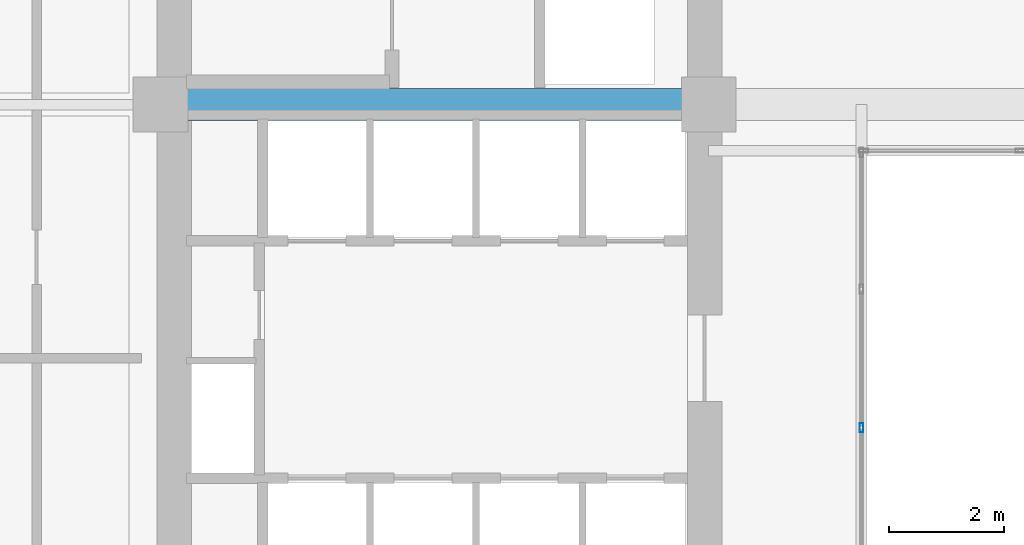
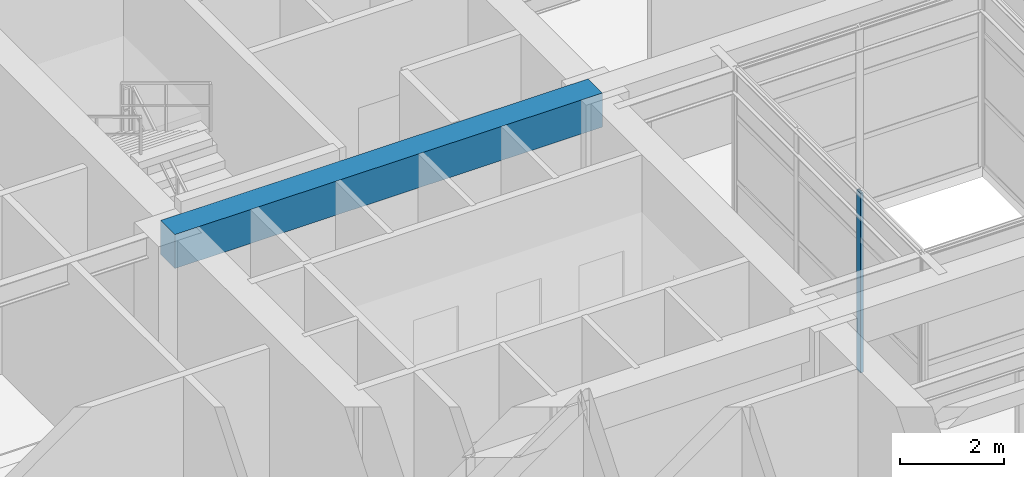
# One storey, part 3 of 13: 1 beam, 1 member, 1 element without a shape of its own.
"""IFC4 building model written with IfcOpenShell, lengths in metres."""

from ifc_helpers import new_model, si_unit, direction, frame, origin, origin_2d, place, context, subcontext, project, spatial, rectangle, hollow_rectangle, extrude, material, layer, layer_set, material_profile, profile_set, type_object, element, aggregate, save


model = new_model("IFC4")

# Units and contexts
model_context = context("Model", 3, precision=1e-05, world=origin(), true_north=direction((0.0, 1.0)))
body_context = subcontext(model_context, "Body", "Model", "MODEL_VIEW")
ifc_project = project(units=[si_unit("LENGTHUNIT", "METRE"), si_unit("AREAUNIT", "SQUARE_METRE"), si_unit("VOLUMEUNIT", "CUBIC_METRE"), si_unit("PLANEANGLEUNIT", "RADIAN"), si_unit("MASSUNIT", "GRAM", prefix="KILO")], contexts=[model_context])

# Site, building, storey
site_placement = place(None, origin())
site = spatial("IfcSite", under=ifc_project, at=site_placement, CompositionType="ELEMENT")
building_placement = place(site_placement, origin())
building = spatial("IfcBuilding", under=site, at=building_placement, Name="Kundavana Baori Tower", CompositionType="ELEMENT")
storey_placement = place(building_placement, frame((0.0, 0.0, 17.0)))
storey = spatial("IfcBuildingStorey", under=building, at=storey_placement, Name="L03", CompositionType="ELEMENT", Elevation=17.0)

# Beam
ifc_material_1 = material(Name="Concrete C50/60", Category="concrete")
ifc_material_profile_1 = material_profile(ifc_material_1, rectangle(XDim=0.550048828125, YDim=0.800048828125, at=origin_2d()), Name="RC BM 550x800")
ifc_profile_set_1 = profile_set([ifc_material_profile_1], Name="Concrete C50/60")
beam_type = type_object("IfcBeamType", Name="BM-RC-800", PredefinedType="BEAM", material=ifc_profile_set_1)
beam_placement = place(storey_placement, frame((15.449951171875, 33.0, 3.820068359375), z_axis=(1.0, 0.0, 0.0), x_axis=(0.0, 1.0, 0.0)))
element("IfcBeam", 1, at=beam_placement, inside=storey, type_object=beam_type, Name="L03 Primary Grid Girder GX-3-1", PredefinedType="BEAM", context=body_context, shape_type="SweptSolid", body=[
    extrude(rectangle(XDim=0.550048828125, YDim=0.800048828125, at=origin_2d()), origin(), (0.0, 0.0, 1.0), 9.5),
])

# Curtain wall, member
ifc_material_2 = material(Name="Thermally Broken Anodised Aluminium Framing", Category="aluminium")
ifc_layer = layer(ifc_material_2, 0.175048828125, Name="CW-SYS-2")
ifc_layer_set = layer_set([ifc_layer], Name="Thermally Broken Anodised Aluminium Framing")
curtain_wall_type = type_object("IfcCurtainWallType", Name="CW-SYS-2", PredefinedType="NOTDEFINED", material=ifc_layer_set)
curtain_wall_placement = place(storey_placement, origin())
curtain_wall = element("IfcCurtainWall", 2, at=curtain_wall_placement, inside=storey, type_object=curtain_wall_type, Name="L03 Atrium Glazed Curtain Wall W", PredefinedType="NOTDEFINED")
ifc_material_3 = material(Name="Thermally Broken Anodised Aluminium Framing", Category="aluminium")
ifc_material_profile_2 = material_profile(ifc_material_3, hollow_rectangle(XDim=0.06494140625, YDim=0.159912109375, WallThickness=0.00390625, at=origin_2d()), Name="CW-MULL-160")
ifc_profile_set_2 = profile_set([ifc_material_profile_2], Name="Thermally Broken Anodised Aluminium Framing")
member_type = type_object("IfcMemberType", Name="CW-MULL-160", PredefinedType="MULLION", material=ifc_profile_set_2)
member_placement = place(storey_placement, frame((27.60009765625, 27.39990234375, 0.0), z_axis=(0.0, 0.0, 1.0), x_axis=(1.0, 0.0, 0.0)))
member = element("IfcMember", 3, at=member_placement, type_object=member_type, Name="CW2 mullion 3", PredefinedType="MULLION", context=body_context, shape_type="SweptSolid", body=[
    extrude(hollow_rectangle(XDim=0.06494140625, YDim=0.159912109375, WallThickness=0.00390625, at=origin_2d()), origin(), (0.0, 0.0, 1.0), 4.219970703125),
])
aggregate(curtain_wall, [member])

save(model, "model.ifc")
